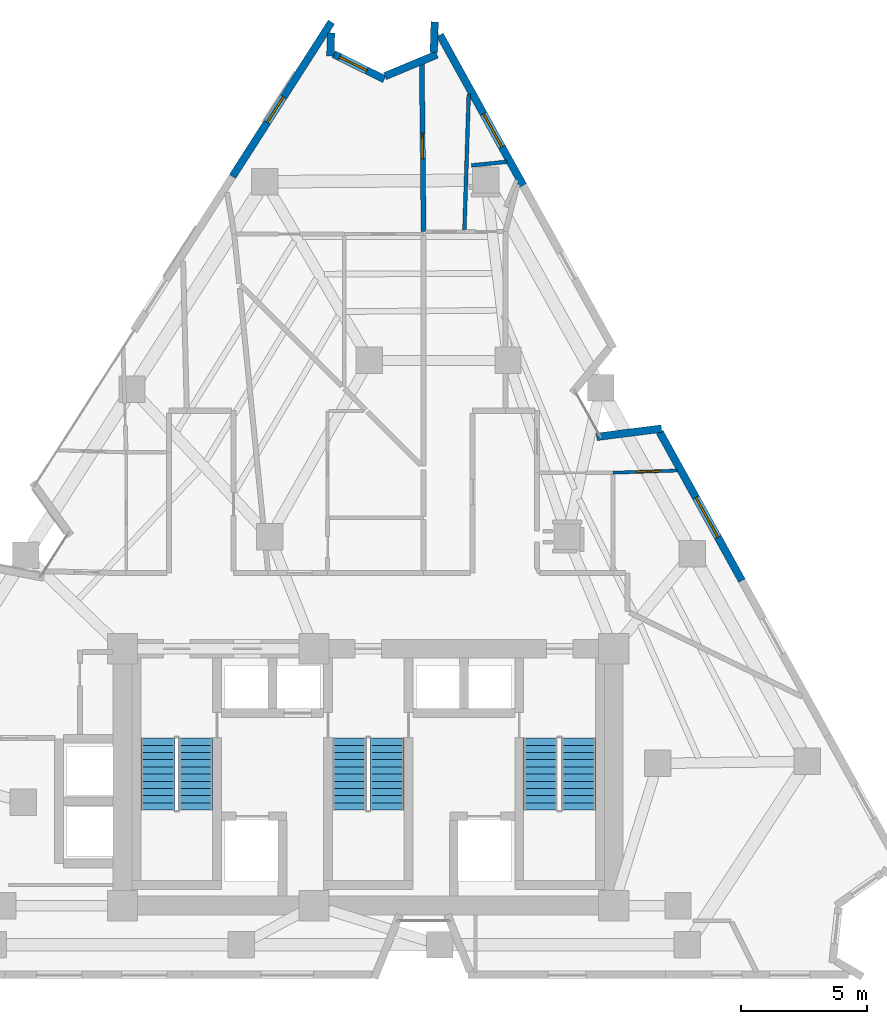
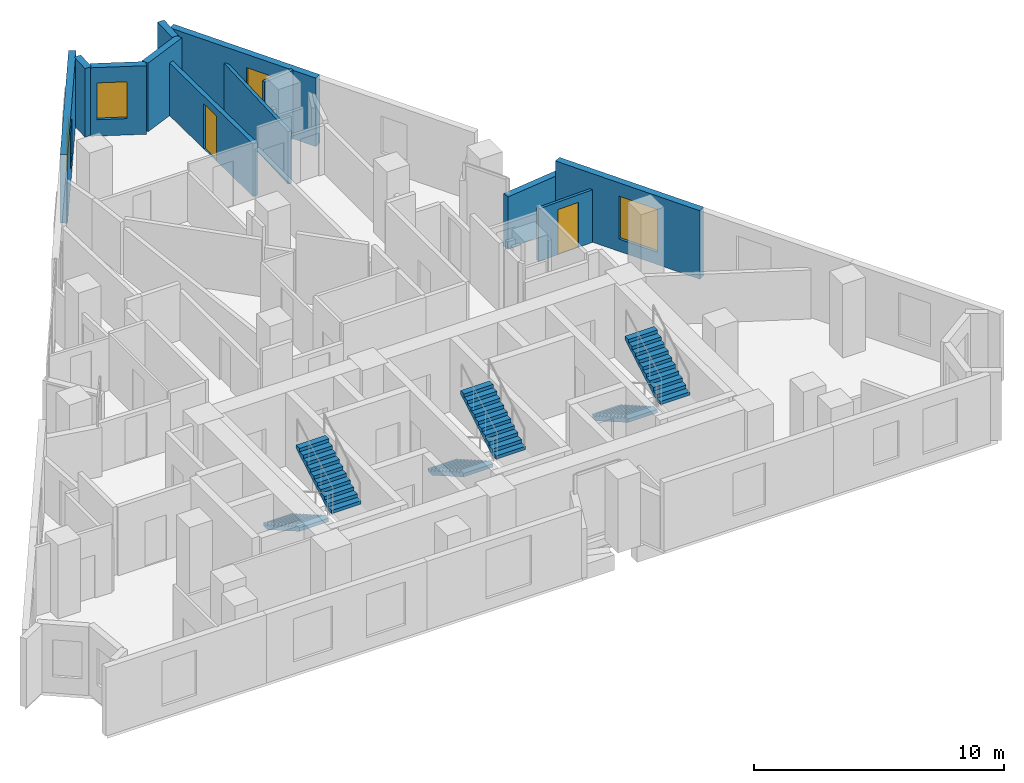
# One storey, part 9 of 11: 12 walls, 6 stair flights, 4 windows, 2 doors, 6 openings, 3 elements without a shape of their own.
"""IFC4 building model written with IfcOpenShell, lengths in metres."""

from ifc_helpers import new_model, si_unit, direction, frame, frame_2d, origin, place, context, subcontext, project, spatial, polyline, rectangle, outline, extrude, material, layer, layer_set, type_object, element, fill, aggregate, save


model = new_model("IFC4")

# Units and contexts
model_context = context("Model", 3, precision=1e-05, world=origin(), true_north=direction((0.0, 1.0)))
body_context = subcontext(model_context, "Body", "Model", "MODEL_VIEW")
ifc_project = project(units=[si_unit("LENGTHUNIT", "METRE"), si_unit("AREAUNIT", "SQUARE_METRE"), si_unit("VOLUMEUNIT", "CUBIC_METRE"), si_unit("PLANEANGLEUNIT", "RADIAN"), si_unit("MASSUNIT", "GRAM", prefix="KILO")], contexts=[model_context])

# Site, building, storey
site_placement = place(None, origin())
site = spatial("IfcSite", under=ifc_project, at=site_placement, CompositionType="ELEMENT")
building_placement = place(site_placement, origin())
building = spatial("IfcBuilding", under=site, at=building_placement, Name="Almagre Mirador Tower", CompositionType="ELEMENT")
storey_placement = place(building_placement, frame((0.0, 0.0, 168.0)))
storey = spatial("IfcBuildingStorey", under=building, at=storey_placement, Name="L43", CompositionType="ELEMENT", Elevation=168.0)

# Wall, opening, window
ifc_material_1 = material(Name="Precast concrete C50/60", Category="concrete")
ifc_layer_1 = layer(ifc_material_1, 0.300048828125)
ifc_layer_set_1 = layer_set([ifc_layer_1], Name="Precast concrete C50/60")
wall_type_1 = type_object("IfcWallType", Name="WAL-EXT-300", PredefinedType="SOLIDWALL", material=ifc_layer_set_1)
wall_1_placement = place(storey_placement, frame((31.9140625, 33.502197265625, 0.0), z_axis=(0.0, 0.0, 1.0), x_axis=(0.539526549497, 0.84196858753, 0.0)))
wall_1 = element("IfcWall", 1, at=wall_1_placement, inside=storey, type_object=wall_type_1, Name="L43 expressed almagre precast frame wall 04", PredefinedType="SOLIDWALL", context=body_context, shape_type="SweptSolid", body=[
    extrude(rectangle(XDim=7.280517578125, YDim=0.300048828125, at=frame_2d((3.64013671875, 0.0))), origin(), (0.0, 0.0, 1.0), 3.35009765625),
])
opening_1_placement = place(wall_1_placement, frame((2.550048828125, 0.0, 0.800048828125)))
opening_1 = element("IfcOpeningElement", 2, at=opening_1_placement, cuts=wall_1, Name="Opening WN-04", PredefinedType="OPENING", context=body_context, shape_type="SweptSolid", body=[
    extrude(rectangle(XDim=1.199951171875, YDim=1.800048828125, at=frame_2d((0.60009765625, 0.89990234375))), frame((0.0, 0.159902, 0.0), z_axis=(0.0, -1.0, 0.0), x_axis=(1.0, 0.0, 0.0)), (0.0, 0.0, 1.0), 0.320049),
])
ifc_material_2 = material(Name="Dark solar-control laminated hurricane glass", Category="glass")
window_type_1 = type_object("IfcWindowType", Name="WIN-1200X1800", PartitioningType="SINGLE_PANEL", PredefinedType="WINDOW", material=ifc_material_2)
window_1_placement = place(opening_1_placement, origin())
window_1 = element("IfcWindow", 3, at=window_1_placement, inside=storey, type_object=window_type_1, Name="L43 recessed hurricane window L43-UH-ST", OverallHeight=1.800048828125, OverallWidth=1.199951171875, PartitioningType="SINGLE_PANEL", PredefinedType="WINDOW", context=body_context, shape_type="SweptSolid", body=[
    extrude(rectangle(XDim=1.199951171875, YDim=1.800048828125, at=frame_2d((0.60009765625, 0.89990234375))), frame((0.0, 0.030029296875, 0.0), z_axis=(0.0, -1.0, 0.0), x_axis=(1.0, 0.0, 0.0)), (0.0, 0.0, 1.0), 0.06005859375),
])
fill(opening_1, window_1)

# Wall
wall_2_placement = place(storey_placement, frame((35.827880859375, 39.197265625, 0.0), z_axis=(0.0, 0.0, 1.0), x_axis=(-0.03185633333, -0.999492458214, 0.0)))
element("IfcWall", 4, at=wall_2_placement, inside=storey, type_object=wall_type_1, Name="L43 expressed almagre precast frame wall 05", PredefinedType="SOLIDWALL", context=body_context, shape_type="SweptSolid", body=[
    extrude(rectangle(XDim=0.919677734375, YDim=0.300048828125, at=frame_2d((0.4599609375, 0.0))), origin(), (0.0, 0.0, 1.0), 3.35009765625),
])

# Wall, opening, window
wall_3_placement = place(storey_placement, frame((35.928466796875, 38.35595703125, 0.0), z_axis=(0.0, 0.0, 1.0), x_axis=(0.896845505116, -0.442343915922, 0.0)))
wall_3 = element("IfcWall", 5, at=wall_3_placement, inside=storey, type_object=wall_type_1, Name="L43 expressed almagre precast frame wall 06", PredefinedType="SOLIDWALL", context=body_context, shape_type="SweptSolid", body=[
    extrude(rectangle(XDim=2.2490234375, YDim=0.300048828125, at=frame_2d((1.12451171875, 0.0))), origin(), (0.0, 0.0, 1.0), 3.35009765625),
])
opening_2_placement = place(wall_3_placement, frame((0.27001953125, 0.0, 0.800048828125)))
opening_2 = element("IfcOpeningElement", 6, at=opening_2_placement, cuts=wall_3, Name="Opening WN-04", PredefinedType="OPENING", context=body_context, shape_type="SweptSolid", body=[
    extrude(rectangle(XDim=1.199951171875, YDim=1.800048828125, at=frame_2d((0.60009765625, 0.89990234375))), frame((0.0, 0.159902, 0.0), z_axis=(0.0, -1.0, 0.0), x_axis=(1.0, 0.0, 0.0)), (0.0, 0.0, 1.0), 0.320049),
])
window_2_placement = place(opening_2_placement, origin())
window_2 = element("IfcWindow", 7, at=window_2_placement, inside=storey, type_object=window_type_1, Name="L43 recessed hurricane window L43-UH-ST", OverallHeight=1.800048828125, OverallWidth=1.199951171875, PartitioningType="SINGLE_PANEL", PredefinedType="WINDOW", context=body_context, shape_type="SweptSolid", body=[
    extrude(rectangle(XDim=1.199951171875, YDim=1.800048828125, at=frame_2d((0.60009765625, 0.89990234375))), frame((0.0, 0.030029296875, 0.0), z_axis=(0.0, -1.0, 0.0), x_axis=(1.0, 0.0, 0.0)), (0.0, 0.0, 1.0), 0.06005859375),
])
fill(opening_2, window_2)

# Walls
wall_4_placement = place(storey_placement, frame((37.963134765625, 37.482421875, 0.0), z_axis=(0.0, 0.0, 1.0), x_axis=(0.923538383056, 0.383506003892, 0.0)))
element("IfcWall", 8, at=wall_4_placement, inside=storey, type_object=wall_type_1, Name="L43 expressed almagre precast frame wall 07", PredefinedType="SOLIDWALL", context=body_context, shape_type="SweptSolid", body=[
    extrude(rectangle(XDim=2.235107421875, YDim=0.300048828125, at=frame_2d((1.11767578125, 0.0))), origin(), (0.0, 0.0, 1.0), 3.35009765625),
])
wall_5_placement = place(storey_placement, frame((39.902587890625, 38.426025390625, 0.0), z_axis=(0.0, 0.0, 1.0), x_axis=(0.031962743503, 0.999489060985, 0.0)))
element("IfcWall", 9, at=wall_5_placement, inside=storey, type_object=wall_type_1, Name="L43 expressed almagre precast frame wall 08", PredefinedType="SOLIDWALL", context=body_context, shape_type="SweptSolid", body=[
    extrude(rectangle(XDim=1.214599609375, YDim=0.300048828125, at=frame_2d((0.607421875, 0.0))), origin(), (0.0, 0.0, 1.0), 3.35009765625),
])

# Wall, opening, window
wall_6_placement = place(storey_placement, frame((40.147705078125, 39.119384765625, 0.0), z_axis=(0.0, 0.0, 1.0), x_axis=(0.484162803577, -0.87497793094, 0.0)))
wall_6 = element("IfcWall", 10, at=wall_6_placement, inside=storey, type_object=wall_type_1, Name="L43 expressed almagre precast frame wall 09", PredefinedType="SOLIDWALL", context=body_context, shape_type="SweptSolid", body=[
    extrude(rectangle(XDim=6.823486328125, YDim=0.300048828125, at=frame_2d((3.41162109375, 0.0))), origin(), (0.0, 0.0, 1.0), 3.35009765625),
])
opening_3_placement = place(wall_6_placement, frame((3.574951171875, 0.0, 0.60009765625)))
opening_3 = element("IfcOpeningElement", 11, at=opening_3_placement, cuts=wall_6, Name="Opening WN-03", PredefinedType="OPENING", context=body_context, shape_type="SweptSolid", body=[
    extrude(rectangle(XDim=1.5, YDim=2.10009765625, at=frame_2d((0.75, 1.050048828125))), frame((0.0, 0.159902, 0.0), z_axis=(0.0, -1.0, 0.0), x_axis=(1.0, 0.0, 0.0)), (0.0, 0.0, 1.0), 0.320049),
])
ifc_material_3 = material(Name="Dark solar-control laminated hurricane glass", Category="glass")
window_type_2 = type_object("IfcWindowType", Name="WIN-1500X2100", PartitioningType="DOUBLE_PANEL_VERTICAL", PredefinedType="WINDOW", material=ifc_material_3)
window_3_placement = place(opening_3_placement, origin())
window_3 = element("IfcWindow", 12, at=window_3_placement, inside=storey, type_object=window_type_2, Name="L43 recessed hurricane window L43-UJ-BT", OverallHeight=2.10009765625, OverallWidth=1.5, PartitioningType="SINGLE_PANEL", PredefinedType="WINDOW", context=body_context, shape_type="SweptSolid", body=[
    extrude(rectangle(XDim=1.5, YDim=2.10009765625, at=frame_2d((0.75, 1.050048828125))), frame((0.0, 0.030029296875, 0.0), z_axis=(0.0, -1.0, 0.0), x_axis=(1.0, 0.0, 0.0)), (0.0, 0.0, 1.0), 0.06005859375),
])
fill(opening_3, window_3)

# Wall
wall_7_placement = place(storey_placement, frame((46.3720703125, 23.163330078125, 0.0), z_axis=(0.0, 0.0, 1.0), x_axis=(0.991953049751, 0.126606267974, 0.0)))
element("IfcWall", 13, at=wall_7_placement, inside=storey, type_object=wall_type_1, Name="L43 expressed almagre precast frame wall 12", PredefinedType="SOLIDWALL", context=body_context, shape_type="SweptSolid", body=[
    extrude(rectangle(XDim=2.593505859375, YDim=0.300048828125, at=frame_2d((1.296875, 0.0))), origin(), (0.0, 0.0, 1.0), 2.574951171875),
])

# Wall, opening, window
wall_8_placement = place(storey_placement, frame((48.871337890625, 23.35595703125, 0.0), z_axis=(0.0, 0.0, 1.0), x_axis=(0.484178775102, -0.874969093021, 0.0)))
wall_8 = element("IfcWall", 14, at=wall_8_placement, inside=storey, type_object=wall_type_1, Name="L43 expressed almagre precast frame wall 13", PredefinedType="SOLIDWALL", context=body_context, shape_type="SweptSolid", body=[
    extrude(rectangle(XDim=6.7421875, YDim=0.300048828125, at=frame_2d((3.37109375, 0.0))), origin(), (0.0, 0.0, 1.0), 3.35009765625),
])
opening_4_placement = place(wall_8_placement, frame((2.97509765625, 0.0, 0.60009765625)))
opening_4 = element("IfcOpeningElement", 15, at=opening_4_placement, cuts=wall_8, Name="Opening WN-01", PredefinedType="OPENING", context=body_context, shape_type="SweptSolid", body=[
    extrude(rectangle(XDim=1.800048828125, YDim=2.10009765625, at=frame_2d((0.89990234375, 1.050048828125))), frame((0.0, 0.159902, 0.0), z_axis=(0.0, -1.0, 0.0), x_axis=(1.0, 0.0, 0.0)), (0.0, 0.0, 1.0), 0.320049),
])
ifc_material_4 = material(Name="Dark solar-control laminated hurricane glass", Category="glass")
window_type_3 = type_object("IfcWindowType", Name="WIN-1800X2100", PartitioningType="DOUBLE_PANEL_VERTICAL", PredefinedType="WINDOW", material=ifc_material_4)
window_4_placement = place(opening_4_placement, origin())
window_4 = element("IfcWindow", 16, at=window_4_placement, inside=storey, type_object=window_type_3, Name="L43 recessed hurricane window L43-UG-KT", OverallHeight=2.10009765625, OverallWidth=1.800048828125, PartitioningType="SINGLE_PANEL", PredefinedType="WINDOW", context=body_context, shape_type="SweptSolid", body=[
    extrude(rectangle(XDim=1.800048828125, YDim=2.10009765625, at=frame_2d((0.89990234375, 1.050048828125))), frame((0.0, 0.030029296875, 0.0), z_axis=(0.0, -1.0, 0.0), x_axis=(1.0, 0.0, 0.0)), (0.0, 0.0, 1.0), 0.06005859375),
])
fill(opening_4, window_4)

# Wall, opening, door
ifc_material_5 = material(Name="Gypsum acoustic stud partition", Category="other")
ifc_layer_2 = layer(ifc_material_5, 0.125)
ifc_layer_set_2 = layer_set([ifc_layer_2], Name="Gypsum acoustic stud partition")
wall_type_2 = type_object("IfcWallType", Name="WAL-PRT-125-UTL", PredefinedType="PARTITIONING", material=ifc_layer_set_2)
wall_9_placement = place(storey_placement, frame((47.02001953125, 21.739990234375, 0.0), z_axis=(0.0, 0.0, 1.0), x_axis=(0.999439190858, 0.03348587428, 0.0)))
wall_9 = element("IfcWall", 17, at=wall_9_placement, inside=storey, type_object=wall_type_2, Name="L43 interior partition 055", PredefinedType="PARTITIONING", context=body_context, shape_type="SweptSolid", body=[
    extrude(rectangle(XDim=2.56640625, YDim=0.125, at=frame_2d((1.283203125, 0.0))), origin(), (0.0, 0.0, 1.0), 2.570068359375),
])
opening_5_placement = place(wall_9_placement, frame((0.93408203125, 0.0, 0.0)))
opening_5 = element("IfcOpeningElement", 18, at=opening_5_placement, cuts=wall_9, Name="Opening UD-01", PredefinedType="OPENING", context=body_context, shape_type="SweptSolid", body=[
    extrude(rectangle(XDim=0.949951171875, YDim=2.199951171875, at=frame_2d((0.47509765625, 1.10009765625))), frame((0.0, 0.0725, 0.0), z_axis=(0.0, -1.0, 0.0), x_axis=(1.0, 0.0, 0.0)), (0.0, 0.0, 1.0), 0.145),
])
ifc_material_6 = material(Name="Solid American walnut timber", Category="wood")
door_type_1 = type_object("IfcDoorType", Name="DOR-UNR-950X2200", OperationType="NOTDEFINED", PredefinedType="DOOR", material=ifc_material_6)
door_1_placement = place(opening_5_placement, origin())
door_1 = element("IfcDoor", 19, at=door_1_placement, inside=storey, type_object=door_type_1, Name="DR-1388 L43 interior door L43-UG-ST to L43-UG-KT", OperationType="SINGLE_SWING_LEFT", OverallHeight=2.199951171875, OverallWidth=0.949951171875, PredefinedType="DOOR", context=body_context, shape_type="SweptSolid", body=[
    extrude(rectangle(XDim=0.949951171875, YDim=2.199951171875, at=frame_2d((0.47509765625, 1.10009765625))), frame((0.0, 0.02490234375, 0.0), z_axis=(0.0, -1.0, 0.0), x_axis=(1.0, 0.0, 0.0)), (0.0, 0.0, 1.0), 0.050048828125),
])
fill(opening_5, door_1)

# Walls
ifc_material_7 = material(Name="Gypsum acoustic stud partition", Category="other")
ifc_layer_3 = layer(ifc_material_7, 0.14990234375)
ifc_layer_set_3 = layer_set([ifc_layer_3], Name="Gypsum acoustic stud partition")
wall_type_3 = type_object("IfcWallType", Name="WAL-PRT-150-STD", PredefinedType="PARTITIONING", material=ifc_layer_set_3)
wall_10_placement = place(storey_placement, frame((41.12109375, 31.367431640625, 0.0), z_axis=(0.0, 0.0, 1.0), x_axis=(0.031558472492, 0.999501907359, 0.0)))
element("IfcWall", 20, at=wall_10_placement, inside=storey, type_object=wall_type_3, Name="L43 interior partition 067", PredefinedType="PARTITIONING", context=body_context, shape_type="SweptSolid", body=[
    extrude(rectangle(XDim=5.415283203125, YDim=0.14990234375, at=frame_2d((2.70751953125, 0.0))), origin(), (0.0, 0.0, 1.0), 2.570068359375),
])
wall_11_placement = place(storey_placement, frame((41.39794921875, 33.93994140625, 0.0), z_axis=(0.0, 0.0, 1.0), x_axis=(0.994906914974, 0.10079796891, 0.0)))
element("IfcWall", 21, at=wall_11_placement, inside=storey, type_object=wall_type_3, Name="L43 interior partition 078", PredefinedType="PARTITIONING", context=body_context, shape_type="SweptSolid", body=[
    extrude(rectangle(XDim=1.41943359375, YDim=0.14990234375, at=frame_2d((0.709716796875, 0.0))), origin(), (0.0, 0.0, 1.0), 3.35009765625),
])

# Wall, opening, door
ifc_material_8 = material(Name="Gypsum acoustic stud partition", Category="other")
ifc_layer_4 = layer(ifc_material_8, 0.199951171875)
ifc_layer_set_4 = layer_set([ifc_layer_4], Name="Gypsum acoustic stud partition")
wall_type_4 = type_object("IfcWallType", Name="WAL-PRT-200-EI60", PredefinedType="PARTITIONING", material=ifc_layer_set_4)
wall_12_placement = place(storey_placement, frame((39.5, 31.320068359375, 0.0), z_axis=(0.0, 0.0, 1.0), x_axis=(-0.010545456067, 0.999944395132, 0.0)))
wall_12 = element("IfcWall", 22, at=wall_12_placement, inside=storey, type_object=wall_type_4, Name="L43 interior partition 061", PredefinedType="PARTITIONING", context=body_context, shape_type="SweptSolid", body=[
    extrude(rectangle(XDim=6.64453125, YDim=0.199951171875, at=frame_2d((3.322265625, 0.0))), origin(), (0.0, 0.0, 1.0), 2.570068359375),
])
opening_6_placement = place(wall_12_placement, frame((2.888671875, 0.0, 0.0)))
opening_6 = element("IfcOpeningElement", 23, at=opening_6_placement, cuts=wall_12, Name="Opening ID-01", PredefinedType="OPENING", context=body_context, shape_type="SweptSolid", body=[
    extrude(rectangle(XDim=1.0, YDim=2.199951171875, at=frame_2d((0.5, 1.10009765625))), frame((0.0, 0.110098, 0.0), z_axis=(0.0, -1.0, 0.0), x_axis=(1.0, 0.0, 0.0)), (0.0, 0.0, 1.0), 0.219951),
])
ifc_material_9 = material(Name="Fire-rated walnut timber", Category="wood")
door_type_2 = type_object("IfcDoorType", Name="DOR-FD60-1000X2200", OperationType="NOTDEFINED", PredefinedType="DOOR", material=ifc_material_9)
door_2_placement = place(opening_6_placement, origin())
door_2 = element("IfcDoor", 24, at=door_2_placement, inside=storey, type_object=door_type_2, Name="DR-1395 L43 interior door L43-UH-ST to L43-UJ-KT", OperationType="SINGLE_SWING_RIGHT", OverallHeight=2.199951171875, OverallWidth=1.0, PredefinedType="DOOR", context=body_context, shape_type="SweptSolid", body=[
    extrude(rectangle(XDim=1.0, YDim=2.199951171875, at=frame_2d((0.5, 1.10009765625))), frame((0.0, 0.02490234375, 0.0), z_axis=(0.0, -1.0, 0.0), x_axis=(1.0, 0.0, 0.0)), (0.0, 0.0, 1.0), 0.050048828125),
])
fill(opening_6, door_2)

# Stair, stair flights
ifc_material_10 = material(Name="Concrete C45/55", Category="concrete")
stair_type = type_object("IfcStairType", Name="STR-DL-3600", PredefinedType="HALF_TURN_STAIR", material=ifc_material_10)
stair_1_placement = place(storey_placement, origin())
stair_1 = element("IfcStair", 25, at=stair_1_placement, inside=storey, type_object=stair_type, Name="L43 Protected exit stair ST-1", PredefinedType="HALF_TURN_STAIR")
ifc_material_11 = material(Name="Concrete C45/55", Category="concrete")
stair_flight_type = type_object("IfcStairFlightType", Name="FLT-DL-3600", PredefinedType="STRAIGHT", material=ifc_material_11)
stair_flight_1_placement = place(storey_placement, frame((28.949951171875, 11.199951171875, 0.0), z_axis=(0.0, 0.0, 1.0), x_axis=(0.0, -1.0, 0.0)))
stair_flight_1 = element("IfcStairFlight", 26, at=stair_flight_1_placement, type_object=stair_flight_type, Name="ST-1 flight 1", NumberOfRisers=11, NumberOfTreads=10, PredefinedType="STRAIGHT", RiserHeight=0.163636364, TreadLength=0.285, context=body_context, shape_type="SweptSolid", body=[
    extrude(outline(polyline([(0.0, 0.0), (0.0, 0.16357421875), (0.284912109375, 0.16357421875), (0.284912109375, 0.327392578125), (0.570068359375, 0.327392578125), (0.570068359375, 0.490966796875), (0.85498046875, 0.490966796875), (0.85498046875, 0.654541015625), (1.139892578125, 0.654541015625), (1.139892578125, 0.818115234375), (1.425048828125, 0.818115234375), (1.425048828125, 0.98193359375), (1.7099609375, 0.98193359375), (1.7099609375, 1.1455078125), (1.9951171875, 1.1455078125), (1.9951171875, 1.30908203125), (2.280029296875, 1.30908203125), (2.280029296875, 1.47265625), (2.56494140625, 1.47265625), (2.56494140625, 1.636474609375), (2.85009765625, 1.636474609375), (2.85009765625, 1.800048828125), (2.85009765625, 1.463623046875), (0.301025390625, 0.0), (0.0, 0.0)])), frame((0.0, 0.675048828125, 0.0), z_axis=(0.0, -1.0, 0.0), x_axis=(1.0, 0.0, 0.0)), (0.0, 0.0, 1.0), 1.35009765625),
])
stair_flight_2_placement = place(storey_placement, frame((30.449951171875, 8.35009765625, 1.800048828125), z_axis=(0.0, 0.0, 1.0), x_axis=(0.0, 1.0, 0.0)))
stair_flight_2 = element("IfcStairFlight", 27, at=stair_flight_2_placement, type_object=stair_flight_type, Name="ST-1 flight 2", NumberOfRisers=11, NumberOfTreads=10, PredefinedType="STRAIGHT", RiserHeight=0.163636364, TreadLength=0.285, context=body_context, shape_type="SweptSolid", body=[
    extrude(outline(polyline([(0.0, 0.0), (0.0, 0.16357421875), (0.284912109375, 0.16357421875), (0.284912109375, 0.327392578125), (0.570068359375, 0.327392578125), (0.570068359375, 0.490966796875), (0.85498046875, 0.490966796875), (0.85498046875, 0.654541015625), (1.139892578125, 0.654541015625), (1.139892578125, 0.818115234375), (1.425048828125, 0.818115234375), (1.425048828125, 0.98193359375), (1.7099609375, 0.98193359375), (1.7099609375, 1.1455078125), (1.9951171875, 1.1455078125), (1.9951171875, 1.30908203125), (2.280029296875, 1.30908203125), (2.280029296875, 1.47265625), (2.56494140625, 1.47265625), (2.56494140625, 1.636474609375), (2.85009765625, 1.636474609375), (2.85009765625, 1.800048828125), (2.85009765625, 1.463623046875), (0.301025390625, 0.0), (0.0, 0.0)])), frame((0.0, 0.675048828125, 0.0), z_axis=(0.0, -1.0, 0.0), x_axis=(1.0, 0.0, 0.0)), (0.0, 0.0, 1.0), 1.35009765625),
])
aggregate(stair_1, [stair_flight_1, stair_flight_2])

stair_2_placement = place(storey_placement, origin())
stair_2 = element("IfcStair", 28, at=stair_2_placement, inside=storey, type_object=stair_type, Name="L43 Protected exit stair ST-2", PredefinedType="HALF_TURN_STAIR")
stair_flight_3_placement = place(storey_placement, frame((36.550048828125, 11.199951171875, 0.0), z_axis=(0.0, 0.0, 1.0), x_axis=(0.0, -1.0, 0.0)))
stair_flight_3 = element("IfcStairFlight", 29, at=stair_flight_3_placement, type_object=stair_flight_type, Name="ST-2 flight 1", NumberOfRisers=11, NumberOfTreads=10, PredefinedType="STRAIGHT", RiserHeight=0.163636364, TreadLength=0.285, context=body_context, shape_type="SweptSolid", body=[
    extrude(outline(polyline([(0.0, 0.0), (0.0, 0.16357421875), (0.284912109375, 0.16357421875), (0.284912109375, 0.327392578125), (0.570068359375, 0.327392578125), (0.570068359375, 0.490966796875), (0.85498046875, 0.490966796875), (0.85498046875, 0.654541015625), (1.139892578125, 0.654541015625), (1.139892578125, 0.818115234375), (1.425048828125, 0.818115234375), (1.425048828125, 0.98193359375), (1.7099609375, 0.98193359375), (1.7099609375, 1.1455078125), (1.9951171875, 1.1455078125), (1.9951171875, 1.30908203125), (2.280029296875, 1.30908203125), (2.280029296875, 1.47265625), (2.56494140625, 1.47265625), (2.56494140625, 1.636474609375), (2.85009765625, 1.636474609375), (2.85009765625, 1.800048828125), (2.85009765625, 1.463623046875), (0.301025390625, 0.0), (0.0, 0.0)])), frame((0.0, 0.675048828125, 0.0), z_axis=(0.0, -1.0, 0.0), x_axis=(1.0, 0.0, 0.0)), (0.0, 0.0, 1.0), 1.35009765625),
])
stair_flight_4_placement = place(storey_placement, frame((38.050048828125, 8.35009765625, 1.800048828125), z_axis=(0.0, 0.0, 1.0), x_axis=(0.0, 1.0, 0.0)))
stair_flight_4 = element("IfcStairFlight", 30, at=stair_flight_4_placement, type_object=stair_flight_type, Name="ST-2 flight 2", NumberOfRisers=11, NumberOfTreads=10, PredefinedType="STRAIGHT", RiserHeight=0.163636364, TreadLength=0.285, context=body_context, shape_type="SweptSolid", body=[
    extrude(outline(polyline([(0.0, 0.0), (0.0, 0.16357421875), (0.284912109375, 0.16357421875), (0.284912109375, 0.327392578125), (0.570068359375, 0.327392578125), (0.570068359375, 0.490966796875), (0.85498046875, 0.490966796875), (0.85498046875, 0.654541015625), (1.139892578125, 0.654541015625), (1.139892578125, 0.818115234375), (1.425048828125, 0.818115234375), (1.425048828125, 0.98193359375), (1.7099609375, 0.98193359375), (1.7099609375, 1.1455078125), (1.9951171875, 1.1455078125), (1.9951171875, 1.30908203125), (2.280029296875, 1.30908203125), (2.280029296875, 1.47265625), (2.56494140625, 1.47265625), (2.56494140625, 1.636474609375), (2.85009765625, 1.636474609375), (2.85009765625, 1.800048828125), (2.85009765625, 1.463623046875), (0.301025390625, 0.0), (0.0, 0.0)])), frame((0.0, 0.675048828125, 0.0), z_axis=(0.0, -1.0, 0.0), x_axis=(1.0, 0.0, 0.0)), (0.0, 0.0, 1.0), 1.35009765625),
])
aggregate(stair_2, [stair_flight_3, stair_flight_4])

stair_3_placement = place(storey_placement, origin())
stair_3 = element("IfcStair", 31, at=stair_3_placement, inside=storey, type_object=stair_type, Name="L43 Protected exit stair ST-3", PredefinedType="HALF_TURN_STAIR")
stair_flight_5_placement = place(storey_placement, frame((44.14990234375, 11.199951171875, 0.0), z_axis=(0.0, 0.0, 1.0), x_axis=(0.0, -1.0, 0.0)))
stair_flight_5 = element("IfcStairFlight", 32, at=stair_flight_5_placement, type_object=stair_flight_type, Name="ST-3 flight 1", NumberOfRisers=11, NumberOfTreads=10, PredefinedType="STRAIGHT", RiserHeight=0.163636364, TreadLength=0.285, context=body_context, shape_type="SweptSolid", body=[
    extrude(outline(polyline([(0.0, 0.0), (0.0, 0.16357421875), (0.284912109375, 0.16357421875), (0.284912109375, 0.327392578125), (0.570068359375, 0.327392578125), (0.570068359375, 0.490966796875), (0.85498046875, 0.490966796875), (0.85498046875, 0.654541015625), (1.139892578125, 0.654541015625), (1.139892578125, 0.818115234375), (1.425048828125, 0.818115234375), (1.425048828125, 0.98193359375), (1.7099609375, 0.98193359375), (1.7099609375, 1.1455078125), (1.9951171875, 1.1455078125), (1.9951171875, 1.30908203125), (2.280029296875, 1.30908203125), (2.280029296875, 1.47265625), (2.56494140625, 1.47265625), (2.56494140625, 1.636474609375), (2.85009765625, 1.636474609375), (2.85009765625, 1.800048828125), (2.85009765625, 1.463623046875), (0.301025390625, 0.0), (0.0, 0.0)])), frame((0.0, 0.675048828125, 0.0), z_axis=(0.0, -1.0, 0.0), x_axis=(1.0, 0.0, 0.0)), (0.0, 0.0, 1.0), 1.35009765625),
])
stair_flight_6_placement = place(storey_placement, frame((45.64990234375, 8.35009765625, 1.800048828125), z_axis=(0.0, 0.0, 1.0), x_axis=(0.0, 1.0, 0.0)))
stair_flight_6 = element("IfcStairFlight", 33, at=stair_flight_6_placement, type_object=stair_flight_type, Name="ST-3 flight 2", NumberOfRisers=11, NumberOfTreads=10, PredefinedType="STRAIGHT", RiserHeight=0.163636364, TreadLength=0.285, context=body_context, shape_type="SweptSolid", body=[
    extrude(outline(polyline([(0.0, 0.0), (0.0, 0.16357421875), (0.284912109375, 0.16357421875), (0.284912109375, 0.327392578125), (0.570068359375, 0.327392578125), (0.570068359375, 0.490966796875), (0.85498046875, 0.490966796875), (0.85498046875, 0.654541015625), (1.139892578125, 0.654541015625), (1.139892578125, 0.818115234375), (1.425048828125, 0.818115234375), (1.425048828125, 0.98193359375), (1.7099609375, 0.98193359375), (1.7099609375, 1.1455078125), (1.9951171875, 1.1455078125), (1.9951171875, 1.30908203125), (2.280029296875, 1.30908203125), (2.280029296875, 1.47265625), (2.56494140625, 1.47265625), (2.56494140625, 1.636474609375), (2.85009765625, 1.636474609375), (2.85009765625, 1.800048828125), (2.85009765625, 1.463623046875), (0.301025390625, 0.0), (0.0, 0.0)])), frame((0.0, 0.675048828125, 0.0), z_axis=(0.0, -1.0, 0.0), x_axis=(1.0, 0.0, 0.0)), (0.0, 0.0, 1.0), 1.35009765625),
])
aggregate(stair_3, [stair_flight_5, stair_flight_6])

save(model, "model.ifc")
